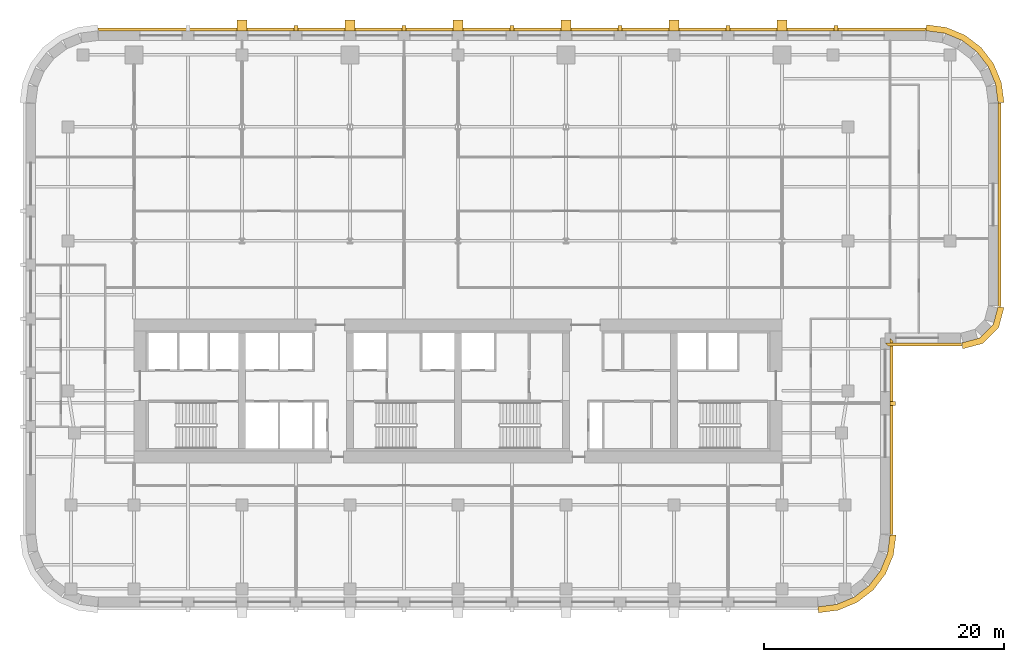
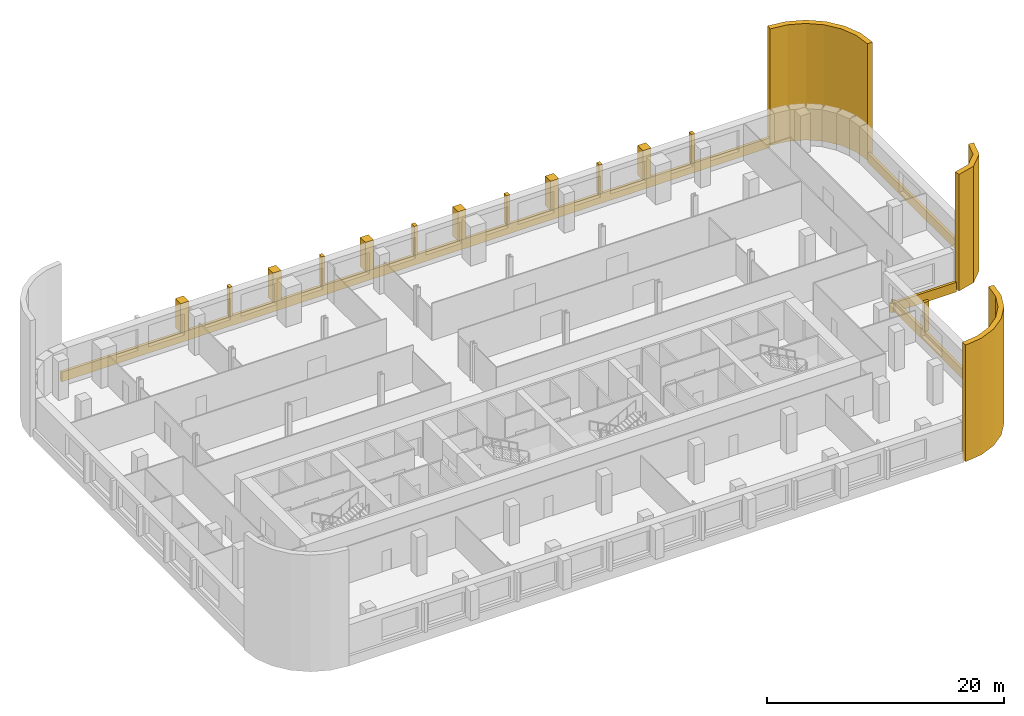
# One storey, part 10 of 10: 20 coverings.
"""IFC4 building model written with IfcOpenShell, lengths in metres."""

import ifcopenshell
import ifcopenshell.guid

model = None  # the IFC model being written
_history = None  # IfcOwnerHistory: only IFC2X3 demands one
_inside = {}  # id of a spatial element -> (the spatial element, [elements in it])
_under = {}  # id of a project, library or spatial element -> (it, [spatial elements below it])
_declared = {}  # id of a project -> (the project, [libraries it declares])
_typed = {}  # id of a type object -> (the type object, [elements of that type])
_made_of = {}  # id of a material, layer set ... -> (it, [elements and type objects made of it])


def new_model(schema):
    """Start an empty IFC model of exactly this schema.

    Asked for "IFC4X3", IfcOpenShell would pick the latest addendum, in which some entities
    have other attributes; the version numbers below select the first issue.
    IFC2X3 requires an IfcOwnerHistory on every rooted entity: one is made here for all.
    """
    global model, _history
    if schema == "IFC4X3":
        model = ifcopenshell.file(schema_version=(4, 3, 0, 0))
    else:
        model = ifcopenshell.file(schema=schema)
    _inside.clear()
    _under.clear()
    _declared.clear()
    _typed.clear()
    _made_of.clear()
    _history = None
    if model.schema == "IFC2X3":
        org = make("IfcOrganization", Name="unknown")
        user = make(
            "IfcPersonAndOrganization",
            ThePerson=make("IfcPerson", FamilyName="unknown"),
            TheOrganization=org,
        )
        app = make(
            "IfcApplication",
            ApplicationDeveloper=org,
            Version="unknown",
            ApplicationFullName="unknown",
            ApplicationIdentifier="unknown",
        )
        _history = make(
            "IfcOwnerHistory",
            OwningUser=user,
            OwningApplication=app,
            ChangeAction="ADDED",
            CreationDate=0,
        )
    return model


def make(cls, **values):
    """One entity of the class cls with the attributes given. An attribute that is None is left unset."""
    return model.create_entity(
        cls, **{name: value for name, value in values.items() if value is not None}
    )


def rooted(cls, **values):
    """An entity with a GlobalId (a new one), such as an element, a storey or a relation."""
    return make(cls, GlobalId=ifcopenshell.guid.new(), OwnerHistory=_history, **values)


def si_unit(unit_type, name, prefix=None):
    """IfcSIUnit, for example si_unit("LENGTHUNIT", "METRE", prefix="MILLI")."""
    return make("IfcSIUnit", UnitType=unit_type, Prefix=prefix, Name=name)


def assignment(units):
    """IfcUnitAssignment: the units of a project."""
    return None if units is None else make("IfcUnitAssignment", Units=units)


def point(xyz):
    """IfcCartesianPoint."""
    return None if xyz is None else make("IfcCartesianPoint", Coordinates=xyz)


def direction(xyz):
    """IfcDirection."""
    return None if xyz is None else make("IfcDirection", DirectionRatios=xyz)


def frame(location, z_axis=None, x_axis=None):
    """IfcAxis2Placement3D, a coordinate frame: its origin and axes. An axis left out is left unset."""
    return make(
        "IfcAxis2Placement3D",
        Location=point(location),
        Axis=direction(z_axis),
        RefDirection=direction(x_axis),
    )


def origin():
    """The frame at (0, 0, 0) with its axes left unset."""
    return frame((0.0, 0.0, 0.0))


def place(relative_to, where):
    """IfcLocalPlacement: puts the frame where relative to a parent placement (None: the world)."""
    return make(
        "IfcLocalPlacement", PlacementRelTo=relative_to, RelativePlacement=where
    )


def context(
    kind, dimensions, precision=None, world=None, true_north=None, identifier=None
):
    """IfcGeometricRepresentationContext, for example the 3D "Model" context."""
    return make(
        "IfcGeometricRepresentationContext",
        ContextIdentifier=identifier,
        ContextType=kind,
        CoordinateSpaceDimension=dimensions,
        Precision=precision,
        WorldCoordinateSystem=world,
        TrueNorth=true_north,
    )


def subcontext(parent, identifier, kind, view, scale=None):
    """IfcGeometricRepresentationSubContext, for example "Body" below "Model"."""
    return make(
        "IfcGeometricRepresentationSubContext",
        ContextIdentifier=identifier,
        ContextType=kind,
        ParentContext=parent,
        TargetScale=scale,
        TargetView=view,
    )


def project(units=None, contexts=None):
    """IfcProject with its units and contexts."""
    return rooted(
        "IfcProject",
        Name="project",
        RepresentationContexts=contexts,
        UnitsInContext=assignment(units),
    )


def spatial(cls, under=None, at=None, **own):
    """A site, building, storey or space (cls), placed at a placement, below another one or the project."""
    s = rooted(cls, ObjectPlacement=at, **own)
    if under is not None:
        _under.setdefault(under.id(), (under, []))[1].append(s)
    return s


def polyline(points):
    """IfcPolyline through the points."""
    return make("IfcPolyline", Points=[point(p) for p in points])


def outline(outer, holes=None, kind="AREA"):
    """IfcArbitraryClosedProfileDef: a profile drawn as a closed curve; with holes, ...WithVoids."""
    if holes is None:
        return make("IfcArbitraryClosedProfileDef", ProfileType=kind, OuterCurve=outer)
    return make(
        "IfcArbitraryProfileDefWithVoids",
        ProfileType=kind,
        OuterCurve=outer,
        InnerCurves=holes,
    )


def extrude(swept, where, along, depth):
    """IfcExtrudedAreaSolid: the profile swept, set in the frame where, extruded along a direction by depth."""
    return make(
        "IfcExtrudedAreaSolid",
        SweptArea=swept,
        Position=where,
        ExtrudedDirection=direction(along),
        Depth=depth,
    )


def shape(context_of_items, identifier, shape_type, items):
    """IfcShapeRepresentation: the items that make up one representation, for example the "Body"."""
    return make(
        "IfcShapeRepresentation",
        ContextOfItems=context_of_items,
        RepresentationIdentifier=identifier,
        RepresentationType=shape_type,
        Items=items,
    )


def material(Name=None, Category=None):
    """IfcMaterial."""
    return make("IfcMaterial", Name=Name, Category=Category)


def layer(
    of_material, thickness, ventilated=None, Name=None, Category=None, Priority=None
):
    """IfcMaterialLayer: one layer of a wall or slab, of a material (None: an air gap)."""
    return make(
        "IfcMaterialLayer",
        Material=of_material,
        LayerThickness=thickness,
        IsVentilated=ventilated,
        Name=Name,
        Category=Category,
        Priority=Priority,
    )


def layer_set(layers, Name=None):
    """IfcMaterialLayerSet."""
    return make("IfcMaterialLayerSet", MaterialLayers=layers, LayerSetName=Name)


def made_of(thing, what):
    """Note that an element or type object is made of a material, layer set ...; save() writes the relation."""
    if what is not None:
        _made_of.setdefault(what.id(), (what, []))[1].append(thing)
    return thing


def type_object(cls, material=None, **own):
    """A type object (cls), such as IfcWallType, which elements share."""
    return made_of(rooted(cls, **own), material)


def element(
    cls,
    number,
    at=None,
    inside=None,
    cuts=None,
    type_object=None,
    material=None,
    context=None,
    identifier="Body",
    shape_type=None,
    held_by="IfcProductDefinitionShape",
    body=None,
    shapes=None,
    **own,
):
    """One element of the class cls, such as IfcWall. Its Tag is "e" and its number.

    at: its placement. inside: the storey or other place that contains it. cuts: it is an
    opening in that element (IfcRelVoidsElement). A single representation is given by context,
    identifier, shape_type and body (its items); several are given by shapes. held_by: the class
    of the entity that holds the representations. save() writes the other relations.
    """
    e = rooted(cls, Tag="e%d" % number, ObjectPlacement=at, **own)
    if body is not None:
        shapes = [shape(context, identifier, shape_type, body)]
    if shapes is not None:
        e.Representation = make(held_by, Representations=shapes)
    if inside is not None:
        _inside.setdefault(inside.id(), (inside, []))[1].append(e)
    if cuts is not None:
        rooted(
            "IfcRelVoidsElement", RelatingBuildingElement=cuts, RelatedOpeningElement=e
        )
    if type_object is not None:
        _typed.setdefault(type_object.id(), (type_object, []))[1].append(e)
    return made_of(e, material)


def aggregate(whole, parts):
    """IfcRelAggregates: a whole, such as a stair, and the parts it consists of."""
    return rooted("IfcRelAggregates", RelatingObject=whole, RelatedObjects=parts)


def save(model, path):
    """Write the relations noted so far, then the file.

    IfcRelAggregates (storeys below a building ...), IfcRelContainedInSpatialStructure (elements
    in a storey), IfcRelDefinesByType, IfcRelAssociatesMaterial and IfcRelDeclares: one each for
    every whole, place, type object, material and project.
    """
    for whole, parts in _under.values():
        aggregate(whole, parts)
    for where, things in _inside.values():
        rooted(
            "IfcRelContainedInSpatialStructure",
            RelatedElements=things,
            RelatingStructure=where,
        )
    for kind, things in _typed.values():
        rooted("IfcRelDefinesByType", RelatedObjects=things, RelatingType=kind)
    for what, things in _made_of.values():
        rooted("IfcRelAssociatesMaterial", RelatedObjects=things, RelatingMaterial=what)
    for by, libraries in _declared.values():
        rooted("IfcRelDeclares", RelatingContext=by, RelatedDefinitions=libraries)
    model.write(path)


model = new_model("IFC4")

# Units and contexts
model_context = context("Model", 3, precision=1e-05, world=origin(), true_north=direction((0.0, 1.0)))
body_context = subcontext(model_context, "Body", "Model", "MODEL_VIEW")
ifc_project = project(units=[si_unit("LENGTHUNIT", "METRE"), si_unit("AREAUNIT", "SQUARE_METRE"), si_unit("VOLUMEUNIT", "CUBIC_METRE"), si_unit("PLANEANGLEUNIT", "RADIAN"), si_unit("MASSUNIT", "GRAM", prefix="KILO")], contexts=[model_context])

# Site, building, storey
site_placement = place(None, origin())
site = spatial("IfcSite", under=ifc_project, at=site_placement, CompositionType="ELEMENT")
building_placement = place(site_placement, origin())
building = spatial("IfcBuilding", under=site, at=building_placement, Name="Zellij Exchange Tower", CompositionType="ELEMENT")
storey_placement = place(building_placement, frame((0.0, 0.0, 120.5)))
storey = spatial("IfcBuildingStorey", under=building, at=storey_placement, Name="L26", CompositionType="ELEMENT", Elevation=120.5)

# Coverings
ifc_material = material(Name="Limestone cladding", Category="masonry")
ifc_layer_1 = layer(ifc_material, 0.5)
ifc_layer_set_1 = layer_set([ifc_layer_1], Name="Limestone cladding")
covering_type_1 = type_object("IfcCoveringType", Name="ENV-CV12 Stone corner pier 500", PredefinedType="CLADDING", material=ifc_layer_set_1)
covering_1_placement = place(storey_placement, origin())
element("IfcCovering", 1, at=covering_1_placement, inside=storey, type_object=covering_type_1, Name="Stone corner pier", PredefinedType="CLADDING", context=body_context, shape_type="SweptSolid", body=[
    extrude(outline(polyline([(30.0, -26.0), (31.552978515625, -25.795654296875), (33.0, -25.1962890625), (34.24267578125, -24.24267578125), (35.1962890625, -23.0), (35.795654296875, -21.552978515625), (36.0, -20.0), (36.5, -20.03271484375), (36.28271484375, -21.683349609375), (35.6328125, -23.252197265625), (34.59912109375, -24.59912109375), (33.252197265625, -25.6328125), (31.683349609375, -26.28271484375), (30.03271484375, -26.5), (30.0, -26.0)])), origin(), (0.0, 0.0, 1.0), 12.0),
])
covering_2_placement = place(storey_placement, origin())
element("IfcCovering", 2, at=covering_2_placement, inside=storey, type_object=covering_type_1, Name="Stone corner pier", PredefinedType="CLADDING", context=body_context, shape_type="SweptSolid", body=[
    extrude(outline(polyline([(42.0, -4.0), (43.5, -3.59814453125), (44.59814453125, -2.5), (45.0, -1.0), (45.5, -1.06591796875), (45.04638671875, -2.7587890625), (43.7587890625, -4.04638671875), (42.06591796875, -4.5), (42.0, -4.0)])), origin(), (0.0, 0.0, 1.0), 12.0),
])
covering_3_placement = place(storey_placement, origin())
element("IfcCovering", 3, at=covering_3_placement, inside=storey, type_object=covering_type_1, Name="Stone corner pier", PredefinedType="CLADDING", context=body_context, shape_type="SweptSolid", body=[
    extrude(outline(polyline([(45.0, 16.0), (44.795654296875, 17.552978515625), (44.1962890625, 19.0), (43.24267578125, 20.24267578125), (42.0, 21.1962890625), (40.552978515625, 21.795654296875), (39.0, 22.0), (39.03271484375, 22.5), (40.683349609375, 22.28271484375), (42.252197265625, 21.6328125), (43.59912109375, 20.59912109375), (44.6328125, 19.252197265625), (45.28271484375, 17.683349609375), (45.5, 16.03271484375), (45.0, 16.0)])), origin(), (0.0, 0.0, 1.0), 12.0),
])
covering_type_2 = type_object("IfcCoveringType", Name="ENV-CV5 Stone pier 800x900", PredefinedType="CLADDING", material=ifc_material)
covering_4_placement = place(storey_placement, frame((0.0, 0.0, 0.800048828125)))
element("IfcCovering", 4, at=covering_4_placement, inside=storey, type_object=covering_type_2, Name="Stone pier", PredefinedType="CLADDING", context=body_context, shape_type="SweptSolid", body=[
    extrude(outline(polyline([(27.39990234375, 22.0), (26.60009765625, 22.0), (26.60009765625, 22.89990234375), (27.39990234375, 22.89990234375), (27.39990234375, 22.0)])), origin(), (0.0, 0.0, 1.0), 3.0),
])
covering_5_placement = place(storey_placement, frame((0.0, 0.0, 0.800048828125)))
element("IfcCovering", 5, at=covering_5_placement, inside=storey, type_object=covering_type_2, Name="Stone pier", PredefinedType="CLADDING", context=body_context, shape_type="SweptSolid", body=[
    extrude(outline(polyline([(18.39990234375, 22.0), (17.60009765625, 22.0), (17.60009765625, 22.89990234375), (18.39990234375, 22.89990234375), (18.39990234375, 22.0)])), origin(), (0.0, 0.0, 1.0), 3.0),
])
covering_6_placement = place(storey_placement, frame((0.0, 0.0, 0.800048828125)))
element("IfcCovering", 6, at=covering_6_placement, inside=storey, type_object=covering_type_2, Name="Stone pier", PredefinedType="CLADDING", context=body_context, shape_type="SweptSolid", body=[
    extrude(outline(polyline([(9.39990234375, 22.0), (8.60009765625, 22.0), (8.60009765625, 22.89990234375), (9.39990234375, 22.89990234375), (9.39990234375, 22.0)])), origin(), (0.0, 0.0, 1.0), 3.0),
])
covering_7_placement = place(storey_placement, frame((0.0, 0.0, 0.800048828125)))
element("IfcCovering", 7, at=covering_7_placement, inside=storey, type_object=covering_type_2, Name="Stone pier", PredefinedType="CLADDING", context=body_context, shape_type="SweptSolid", body=[
    extrude(outline(polyline([(0.39990234375, 22.0), (-0.39990234375, 22.0), (-0.39990234375, 22.89990234375), (0.39990234375, 22.89990234375), (0.39990234375, 22.0)])), origin(), (0.0, 0.0, 1.0), 3.0),
])
covering_8_placement = place(storey_placement, frame((0.0, 0.0, 0.800048828125)))
element("IfcCovering", 8, at=covering_8_placement, inside=storey, type_object=covering_type_2, Name="Stone pier", PredefinedType="CLADDING", context=body_context, shape_type="SweptSolid", body=[
    extrude(outline(polyline([(-8.60009765625, 22.0), (-9.39990234375, 22.0), (-9.39990234375, 22.89990234375), (-8.60009765625, 22.89990234375), (-8.60009765625, 22.0)])), origin(), (0.0, 0.0, 1.0), 3.0),
])
covering_9_placement = place(storey_placement, frame((0.0, 0.0, 0.800048828125)))
element("IfcCovering", 9, at=covering_9_placement, inside=storey, type_object=covering_type_2, Name="Stone pier", PredefinedType="CLADDING", context=body_context, shape_type="SweptSolid", body=[
    extrude(outline(polyline([(-17.60009765625, 22.0), (-18.39990234375, 22.0), (-18.39990234375, 22.89990234375), (-17.60009765625, 22.89990234375), (-17.60009765625, 22.0)])), origin(), (0.0, 0.0, 1.0), 3.0),
])
covering_type_3 = type_object("IfcCoveringType", Name="ENV-CV7 Stone pier 300x450", PredefinedType="CLADDING", material=ifc_material)
covering_10_placement = place(storey_placement, frame((0.0, 0.0, 0.800048828125)))
element("IfcCovering", 10, at=covering_10_placement, inside=storey, type_object=covering_type_3, Name="Stone pier", PredefinedType="CLADDING", context=body_context, shape_type="SweptSolid", body=[
    extrude(outline(polyline([(36.0, -9.2080078125), (36.0, -8.907958984375), (36.449951171875, -8.907958984375), (36.449951171875, -9.2080078125), (36.0, -9.2080078125)])), origin(), (0.0, 0.0, 1.0), 3.0),
])
covering_11_placement = place(storey_placement, frame((0.0, 0.0, 0.800048828125)))
element("IfcCovering", 11, at=covering_11_placement, inside=storey, type_object=covering_type_3, Name="Stone pier", PredefinedType="CLADDING", context=body_context, shape_type="SweptSolid", body=[
    extrude(outline(polyline([(31.64990234375, 22.0), (31.35009765625, 22.0), (31.35009765625, 22.449951171875), (31.64990234375, 22.449951171875), (31.64990234375, 22.0)])), origin(), (0.0, 0.0, 1.0), 3.0),
])
covering_12_placement = place(storey_placement, frame((0.0, 0.0, 0.800048828125)))
element("IfcCovering", 12, at=covering_12_placement, inside=storey, type_object=covering_type_3, Name="Stone pier", PredefinedType="CLADDING", context=body_context, shape_type="SweptSolid", body=[
    extrude(outline(polyline([(22.64990234375, 22.0), (22.35009765625, 22.0), (22.35009765625, 22.449951171875), (22.64990234375, 22.449951171875), (22.64990234375, 22.0)])), origin(), (0.0, 0.0, 1.0), 3.0),
])
covering_13_placement = place(storey_placement, frame((0.0, 0.0, 0.800048828125)))
element("IfcCovering", 13, at=covering_13_placement, inside=storey, type_object=covering_type_3, Name="Stone pier", PredefinedType="CLADDING", context=body_context, shape_type="SweptSolid", body=[
    extrude(outline(polyline([(13.64990234375, 22.0), (13.35009765625, 22.0), (13.35009765625, 22.449951171875), (13.64990234375, 22.449951171875), (13.64990234375, 22.0)])), origin(), (0.0, 0.0, 1.0), 3.0),
])
covering_14_placement = place(storey_placement, frame((0.0, 0.0, 0.800048828125)))
element("IfcCovering", 14, at=covering_14_placement, inside=storey, type_object=covering_type_3, Name="Stone pier", PredefinedType="CLADDING", context=body_context, shape_type="SweptSolid", body=[
    extrude(outline(polyline([(4.64990234375, 22.0), (4.35009765625, 22.0), (4.35009765625, 22.449951171875), (4.64990234375, 22.449951171875), (4.64990234375, 22.0)])), origin(), (0.0, 0.0, 1.0), 3.0),
])
covering_15_placement = place(storey_placement, frame((0.0, 0.0, 0.800048828125)))
element("IfcCovering", 15, at=covering_15_placement, inside=storey, type_object=covering_type_3, Name="Stone pier", PredefinedType="CLADDING", context=body_context, shape_type="SweptSolid", body=[
    extrude(outline(polyline([(-4.35009765625, 22.0), (-4.64990234375, 22.0), (-4.64990234375, 22.449951171875), (-4.35009765625, 22.449951171875), (-4.35009765625, 22.0)])), origin(), (0.0, 0.0, 1.0), 3.0),
])
covering_16_placement = place(storey_placement, frame((0.0, 0.0, 0.800048828125)))
element("IfcCovering", 16, at=covering_16_placement, inside=storey, type_object=covering_type_3, Name="Stone pier", PredefinedType="CLADDING", context=body_context, shape_type="SweptSolid", body=[
    extrude(outline(polyline([(-13.35009765625, 22.0), (-13.64990234375, 22.0), (-13.64990234375, 22.449951171875), (-13.35009765625, 22.449951171875), (-13.35009765625, 22.0)])), origin(), (0.0, 0.0, 1.0), 3.0),
])
ifc_layer_2 = layer(ifc_material, 0.25)
ifc_layer_set_2 = layer_set([ifc_layer_2], Name="Limestone cladding")
covering_type_4 = type_object("IfcCoveringType", Name="ENV-CV8 Stone spandrel band 250", PredefinedType="CLADDING", material=ifc_layer_set_2)
covering_17_placement = place(storey_placement, frame((0.0, 0.0, -0.199951171875)))
element("IfcCovering", 17, at=covering_17_placement, inside=storey, type_object=covering_type_4, Name="Stone spandrel band", PredefinedType="CLADDING", context=body_context, shape_type="SweptSolid", body=[
    extrude(outline(polyline([(36.0, -19.973876953125), (36.0, -3.60009765625), (36.25, -3.85009765625), (36.25, -19.990234375), (36.0, -19.973876953125)])), origin(), (0.0, 0.0, 1.0), 1.0),
])
covering_18_placement = place(storey_placement, frame((0.0, 0.0, -0.199951171875)))
element("IfcCovering", 18, at=covering_18_placement, inside=storey, type_object=covering_type_4, Name="Stone spandrel band", PredefinedType="CLADDING", context=body_context, shape_type="SweptSolid", body=[
    extrude(outline(polyline([(35.60009765625, -4.0), (41.947265625, -4.0), (41.980224609375, -4.25), (35.85009765625, -4.25), (35.60009765625, -4.0)])), origin(), (0.0, 0.0, 1.0), 1.0),
])
covering_19_placement = place(storey_placement, frame((0.0, 0.0, -0.199951171875)))
element("IfcCovering", 19, at=covering_19_placement, inside=storey, type_object=covering_type_4, Name="Stone spandrel band", PredefinedType="CLADDING", context=body_context, shape_type="SweptSolid", body=[
    extrude(outline(polyline([(45.0, -0.947265625), (45.0, 15.973876953125), (45.25, 15.990234375), (45.25, -0.980224609375), (45.0, -0.947265625)])), origin(), (0.0, 0.0, 1.0), 1.0),
])
covering_20_placement = place(storey_placement, frame((0.0, 0.0, -0.199951171875)))
element("IfcCovering", 20, at=covering_20_placement, inside=storey, type_object=covering_type_4, Name="Stone spandrel band", PredefinedType="CLADDING", context=body_context, shape_type="SweptSolid", body=[
    extrude(outline(polyline([(38.973876953125, 22.0), (-29.973876953125, 22.0), (-29.990234375, 22.25), (38.990234375, 22.25), (38.973876953125, 22.0)])), origin(), (0.0, 0.0, 1.0), 1.0),
])

save(model, "model.ifc")
